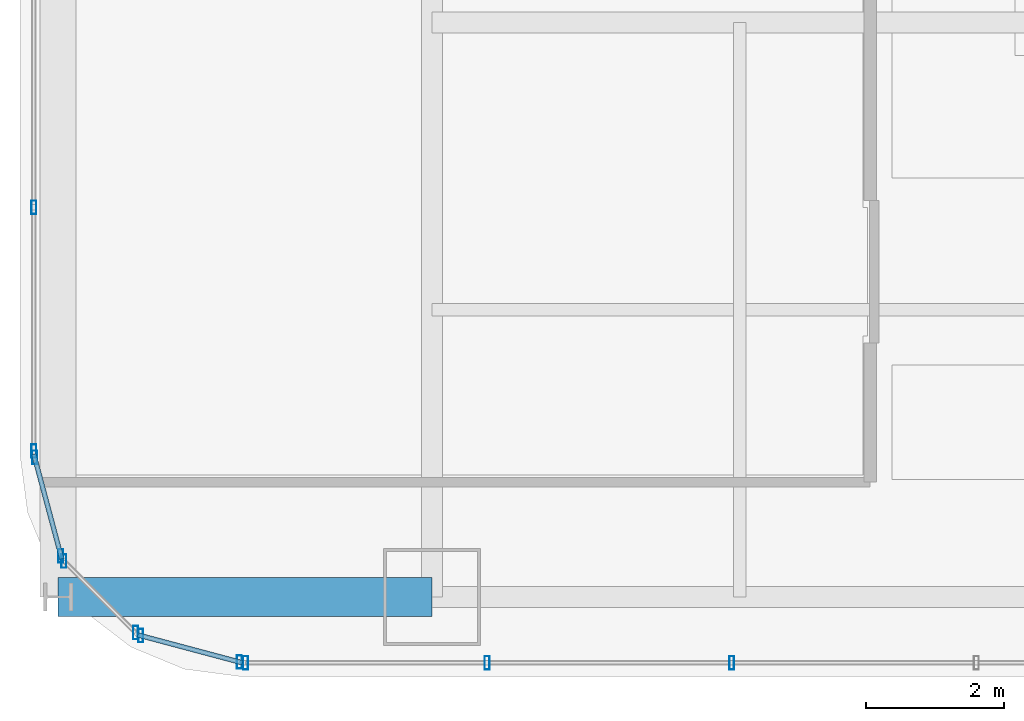
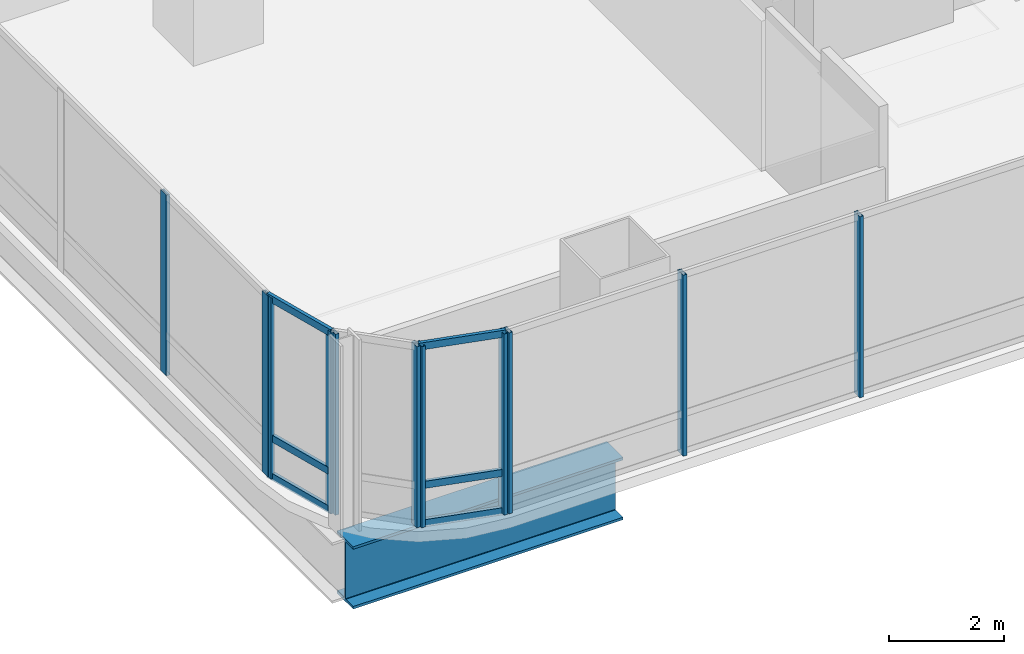
# One storey, part 2 of 38: 17 members, 1 beam, 5 elements without a shape of their own.
"""IFC4 building model written with IfcOpenShell, lengths in metres."""

from ifc_helpers import new_model, si_unit, direction, frame, origin, origin_2d, place, context, subcontext, project, spatial, hollow_rectangle, i_section, extrude, material, material_profile, profile_set, type_object, element, aggregate, save


model = new_model("IFC4")

# Units and contexts
model_context = context("Model", 3, precision=1e-05, world=origin(), true_north=direction((0.0, 1.0)))
body_context = subcontext(model_context, "Body", "Model", "MODEL_VIEW")
ifc_project = project(units=[si_unit("LENGTHUNIT", "METRE"), si_unit("AREAUNIT", "SQUARE_METRE"), si_unit("VOLUMEUNIT", "CUBIC_METRE"), si_unit("PLANEANGLEUNIT", "RADIAN"), si_unit("MASSUNIT", "GRAM", prefix="KILO")], contexts=[model_context])

# Site, building, storey
site_placement = place(None, origin())
site = spatial("IfcSite", under=ifc_project, at=site_placement, CompositionType="ELEMENT")
building_placement = place(site_placement, origin())
building = spatial("IfcBuilding", under=site, at=building_placement, Name="Punatoya Terracotta Tower", CompositionType="ELEMENT")
storey_placement = place(building_placement, frame((0.0, 0.0, 147.89990234375)))
storey = spatial("IfcBuildingStorey", under=building, at=storey_placement, Name="L34", CompositionType="ELEMENT", Elevation=147.89990234375)

# Beam
ifc_material_1 = material(Name="Steel S460", Category="steel")
ifc_material_profile_1 = material_profile(ifc_material_1, i_section(OverallWidth=0.56005859375, OverallDepth=1.320068359375, WebThickness=0.035888671875, FlangeThickness=0.054931640625, FilletRadius=0.01806640625, at=origin_2d()))
ifc_profile_set_1 = profile_set([ifc_material_profile_1], Name="Steel S460")
beam_type = type_object("IfcBeamType", Name="BM-TG-BLK", PredefinedType="BEAM", material=ifc_profile_set_1)
beam_placement = place(storey_placement, frame((-24.5, -17.5, -0.8798828125), z_axis=(1.0, 0.0, 0.0), x_axis=(0.0, 1.0, 0.0)))
element("IfcBeam", 1, at=beam_placement, inside=storey, type_object=beam_type, Name="BM-L34-CANT-W1", PredefinedType="BEAM", context=body_context, shape_type="SweptSolid", body=[
    extrude(i_section(OverallWidth=0.56005859375, OverallDepth=1.320068359375, WebThickness=0.035888671875, FlangeThickness=0.054931640625, FilletRadius=0.01806640625, at=origin_2d()), origin(), (0.0, 0.0, 1.0), 5.39990234375),
])

# Curtain wall, members
ifc_material_2 = material(Name="Aluminium 6063-T6 + Double Low-E Glass", Category="aluminium")
curtain_wall_type = type_object("IfcCurtainWallType", Name="CW-M2", PredefinedType="NOTDEFINED", material=ifc_material_2)
curtain_wall_1_placement = place(storey_placement, origin())
curtain_wall_1 = element("IfcCurtainWall", 2, at=curtain_wall_1_placement, inside=storey, type_object=curtain_wall_type, Name="L34 Curtain Wall CW-L34-S01-1", PredefinedType="NOTDEFINED")
ifc_material_3 = material(Name="Aluminium 6063-T6", Category="aluminium")
ifc_material_profile_2 = material_profile(ifc_material_3, hollow_rectangle(XDim=0.072021484375, YDim=0.195068359375, WallThickness=0.00439453125, at=origin_2d()))
ifc_profile_set_2 = profile_set([ifc_material_profile_2], Name="Aluminium 6063-T6")
member_type_1 = type_object("IfcMemberType", Name="CW-MUL-M2", PredefinedType="MULLION", material=ifc_profile_set_2)
member_1_placement = place(storey_placement, frame((-21.7919921875, -18.449951171875, 0.0), z_axis=(0.0, 0.0, 1.0), x_axis=(1.0, 0.0, 0.0)))
member_1 = element("IfcMember", 3, at=member_1_placement, type_object=member_type_1, Name="CW-L34-S01-1 Mullion 00", PredefinedType="MULLION", context=body_context, shape_type="SweptSolid", body=[
    extrude(hollow_rectangle(XDim=0.072021484375, YDim=0.195068359375, WallThickness=0.00439453125, at=origin_2d()), origin(), (0.0, 0.0, 1.0), 3.830078125),
])
member_2_placement = place(storey_placement, frame((-18.302978515625, -18.449951171875, 0.0), z_axis=(0.0, 0.0, 1.0), x_axis=(1.0, 0.0, 0.0)))
member_2 = element("IfcMember", 4, at=member_2_placement, type_object=member_type_1, Name="CW-L34-S01-1 Mullion 01", PredefinedType="MULLION", context=body_context, shape_type="SweptSolid", body=[
    extrude(hollow_rectangle(XDim=0.072021484375, YDim=0.195068359375, WallThickness=0.00439453125, at=origin_2d()), origin(), (0.0, 0.0, 1.0), 3.830078125),
])
member_3_placement = place(storey_placement, frame((-14.768798828125, -18.449951171875, 0.0), z_axis=(0.0, 0.0, 1.0), x_axis=(1.0, 0.0, 0.0)))
member_3 = element("IfcMember", 5, at=member_3_placement, type_object=member_type_1, Name="CW-L34-S01-1 Mullion 02", PredefinedType="MULLION", context=body_context, shape_type="SweptSolid", body=[
    extrude(hollow_rectangle(XDim=0.072021484375, YDim=0.195068359375, WallThickness=0.00439453125, at=origin_2d()), origin(), (0.0, 0.0, 1.0), 3.830078125),
])
aggregate(curtain_wall_1, [member_1, member_2, member_3])

curtain_wall_2_placement = place(storey_placement, origin())
curtain_wall_2 = element("IfcCurtainWall", 6, at=curtain_wall_2_placement, inside=storey, type_object=curtain_wall_type, Name="L34 Curtain Wall CW-L34-W13-1", PredefinedType="NOTDEFINED")
member_4_placement = place(storey_placement, frame((-24.85009765625, -11.869384765625, 0.0), z_axis=(0.0, 0.0, 1.0), x_axis=(1.0, 0.0, 0.0)))
member_4 = element("IfcMember", 7, at=member_4_placement, type_object=member_type_1, Name="CW-L34-W13-1 Mullion 09", PredefinedType="MULLION", context=body_context, shape_type="SweptSolid", body=[
    extrude(hollow_rectangle(XDim=0.072021484375, YDim=0.195068359375, WallThickness=0.00439453125, at=origin_2d()), origin(), (0.0, 0.0, 1.0), 3.830078125),
])
member_5_placement = place(storey_placement, frame((-24.85009765625, -15.391845703125, 0.0), z_axis=(0.0, 0.0, 1.0), x_axis=(1.0, 0.0, 0.0)))
member_5 = element("IfcMember", 8, at=member_5_placement, type_object=member_type_1, Name="CW-L34-W13-1 Mullion 10", PredefinedType="MULLION", context=body_context, shape_type="SweptSolid", body=[
    extrude(hollow_rectangle(XDim=0.072021484375, YDim=0.195068359375, WallThickness=0.00439453125, at=origin_2d()), origin(), (0.0, 0.0, 1.0), 3.830078125),
])
aggregate(curtain_wall_2, [member_4, member_5])

curtain_wall_3_placement = place(storey_placement, origin())
curtain_wall_3 = element("IfcCurtainWall", 9, at=curtain_wall_3_placement, inside=storey, type_object=curtain_wall_type, Name="L34 Curtain Wall CW-L34-CRN14", PredefinedType="NOTDEFINED")
member_6_placement = place(storey_placement, frame((-24.83837890625, -15.48046875, 0.0), z_axis=(0.0, 0.0, 1.0), x_axis=(1.0, 0.0, 0.0)))
member_6 = element("IfcMember", 10, at=member_6_placement, type_object=member_type_1, Name="CW-L34-CRN14 Mullion 00", PredefinedType="MULLION", context=body_context, shape_type="SweptSolid", body=[
    extrude(hollow_rectangle(XDim=0.072021484375, YDim=0.195068359375, WallThickness=0.00439453125, at=origin_2d()), origin(), (0.0, 0.0, 1.0), 3.830078125),
])
member_7_placement = place(storey_placement, frame((-24.458251953125, -16.905517578125, 0.0), z_axis=(0.0, 0.0, 1.0), x_axis=(1.0, 0.0, 0.0)))
member_7 = element("IfcMember", 11, at=member_7_placement, type_object=member_type_1, Name="CW-L34-CRN14 Mullion 01", PredefinedType="MULLION", context=body_context, shape_type="SweptSolid", body=[
    extrude(hollow_rectangle(XDim=0.072021484375, YDim=0.195068359375, WallThickness=0.00439453125, at=origin_2d()), origin(), (0.0, 0.0, 1.0), 3.830078125),
])

curtain_wall_4_placement = place(storey_placement, origin())
curtain_wall_4 = element("IfcCurtainWall", 12, at=curtain_wall_4_placement, inside=storey, type_object=curtain_wall_type, Name="L34 Curtain Wall CW-L34-CRN15", PredefinedType="NOTDEFINED")
member_8_placement = place(storey_placement, frame((-24.414794921875, -16.98095703125, 0.0), z_axis=(0.0, 0.0, 1.0), x_axis=(1.0, 0.0, 0.0)))
member_8 = element("IfcMember", 13, at=member_8_placement, type_object=member_type_1, Name="CW-L34-CRN15 Mullion 00", PredefinedType="MULLION", context=body_context, shape_type="SweptSolid", body=[
    extrude(hollow_rectangle(XDim=0.072021484375, YDim=0.195068359375, WallThickness=0.00439453125, at=origin_2d()), origin(), (0.0, 0.0, 1.0), 3.830078125),
])
member_9_placement = place(storey_placement, frame((-23.380859375, -18.014892578125, 0.0), z_axis=(0.0, 0.0, 1.0), x_axis=(1.0, 0.0, 0.0)))
member_9 = element("IfcMember", 14, at=member_9_placement, type_object=member_type_1, Name="CW-L34-CRN15 Mullion 01", PredefinedType="MULLION", context=body_context, shape_type="SweptSolid", body=[
    extrude(hollow_rectangle(XDim=0.072021484375, YDim=0.195068359375, WallThickness=0.00439453125, at=origin_2d()), origin(), (0.0, 0.0, 1.0), 3.830078125),
])
aggregate(curtain_wall_4, [member_8, member_9])

curtain_wall_5_placement = place(storey_placement, origin())
curtain_wall_5 = element("IfcCurtainWall", 15, at=curtain_wall_5_placement, inside=storey, type_object=curtain_wall_type, Name="L34 Curtain Wall CW-L34-CRN16", PredefinedType="NOTDEFINED")
member_10_placement = place(storey_placement, frame((-23.3056640625, -18.05810546875, 0.0), z_axis=(0.0, 0.0, 1.0), x_axis=(1.0, 0.0, 0.0)))
member_10 = element("IfcMember", 16, at=member_10_placement, type_object=member_type_1, Name="CW-L34-CRN16 Mullion 00", PredefinedType="MULLION", context=body_context, shape_type="SweptSolid", body=[
    extrude(hollow_rectangle(XDim=0.072021484375, YDim=0.195068359375, WallThickness=0.00439453125, at=origin_2d()), origin(), (0.0, 0.0, 1.0), 3.830078125),
])
member_11_placement = place(storey_placement, frame((-21.88037109375, -18.4384765625, 0.0), z_axis=(0.0, 0.0, 1.0), x_axis=(1.0, 0.0, 0.0)))
member_11 = element("IfcMember", 17, at=member_11_placement, type_object=member_type_1, Name="CW-L34-CRN16 Mullion 01", PredefinedType="MULLION", context=body_context, shape_type="SweptSolid", body=[
    extrude(hollow_rectangle(XDim=0.072021484375, YDim=0.195068359375, WallThickness=0.00439453125, at=origin_2d()), origin(), (0.0, 0.0, 1.0), 3.830078125),
])

# Member
ifc_material_profile_3 = material_profile(ifc_material_3, hollow_rectangle(XDim=0.068115234375, YDim=0.14990234375, WallThickness=0.00390625, at=origin_2d()))
ifc_profile_set_3 = profile_set([ifc_material_profile_3], Name="Aluminium 6063-T6")
member_type_2 = type_object("IfcMemberType", Name="CW-TRN-TYP", PredefinedType="USERDEFINED", material=ifc_profile_set_3)
member_12_placement = place(storey_placement, frame((-24.85009765625, -15.43701171875, 0.0400390625), z_axis=(0.257847112249, -0.966185730957, 0.0), x_axis=(0.966185730957, 0.257847112249, 0.0)))
member_12 = element("IfcMember", 18, at=member_12_placement, type_object=member_type_2, Name="CW-L34-CRN14 Transom 1", ObjectType="TRANSOM", PredefinedType="USERDEFINED", context=body_context, shape_type="SweptSolid", body=[
    extrude(hollow_rectangle(XDim=0.068115234375, YDim=0.14990234375, WallThickness=0.00390625, at=origin_2d()), origin(), (0.0, 0.0, 1.0), 1.565185546875),
])

member_13_placement = place(storey_placement, frame((-24.85009765625, -15.43701171875, 0.85009765625), z_axis=(0.257847112249, -0.966185730957, 0.0), x_axis=(0.966185730957, 0.257847112249, 0.0)))
member_13 = element("IfcMember", 19, at=member_13_placement, type_object=member_type_2, Name="CW-L34-CRN14 Transom 2", ObjectType="TRANSOM", PredefinedType="USERDEFINED", context=body_context, shape_type="SweptSolid", body=[
    extrude(hollow_rectangle(XDim=0.068115234375, YDim=0.14990234375, WallThickness=0.00390625, at=origin_2d()), origin(), (0.0, 0.0, 1.0), 1.565185546875),
])

member_14_placement = place(storey_placement, frame((-24.85009765625, -15.43701171875, 3.7900390625), z_axis=(0.257847112249, -0.966185730957, 0.0), x_axis=(0.966185730957, 0.257847112249, 0.0)))
member_14 = element("IfcMember", 20, at=member_14_placement, type_object=member_type_2, Name="CW-L34-CRN14 Transom 3", ObjectType="TRANSOM", PredefinedType="USERDEFINED", context=body_context, shape_type="SweptSolid", body=[
    extrude(hollow_rectangle(XDim=0.068115234375, YDim=0.14990234375, WallThickness=0.00390625, at=origin_2d()), origin(), (0.0, 0.0, 1.0), 1.565185546875),
])

aggregate(curtain_wall_3, [member_6, member_7, member_12, member_13, member_14])

member_15_placement = place(storey_placement, frame((-23.34912109375, -18.046630859375, 0.0400390625), z_axis=(0.966224582397, -0.257701486942, 0.0), x_axis=(0.257701486942, 0.966224582397, 0.0)))
member_15 = element("IfcMember", 21, at=member_15_placement, type_object=member_type_2, Name="CW-L34-CRN16 Transom 1", ObjectType="TRANSOM", PredefinedType="USERDEFINED", context=body_context, shape_type="SweptSolid", body=[
    extrude(hollow_rectangle(XDim=0.068115234375, YDim=0.14990234375, WallThickness=0.00390625, at=origin_2d()), origin(), (0.0, 0.0, 1.0), 1.565185546875),
])

member_16_placement = place(storey_placement, frame((-23.34912109375, -18.046630859375, 0.85009765625), z_axis=(0.966224582397, -0.257701486942, 0.0), x_axis=(0.257701486942, 0.966224582397, 0.0)))
member_16 = element("IfcMember", 22, at=member_16_placement, type_object=member_type_2, Name="CW-L34-CRN16 Transom 2", ObjectType="TRANSOM", PredefinedType="USERDEFINED", context=body_context, shape_type="SweptSolid", body=[
    extrude(hollow_rectangle(XDim=0.068115234375, YDim=0.14990234375, WallThickness=0.00390625, at=origin_2d()), origin(), (0.0, 0.0, 1.0), 1.565185546875),
])

member_17_placement = place(storey_placement, frame((-23.34912109375, -18.046630859375, 3.7900390625), z_axis=(0.966224582397, -0.257701486942, 0.0), x_axis=(0.257701486942, 0.966224582397, 0.0)))
member_17 = element("IfcMember", 23, at=member_17_placement, type_object=member_type_2, Name="CW-L34-CRN16 Transom 3", ObjectType="TRANSOM", PredefinedType="USERDEFINED", context=body_context, shape_type="SweptSolid", body=[
    extrude(hollow_rectangle(XDim=0.068115234375, YDim=0.14990234375, WallThickness=0.00390625, at=origin_2d()), origin(), (0.0, 0.0, 1.0), 1.565185546875),
])

aggregate(curtain_wall_5, [member_10, member_11, member_15, member_16, member_17])

save(model, "model.ifc")
